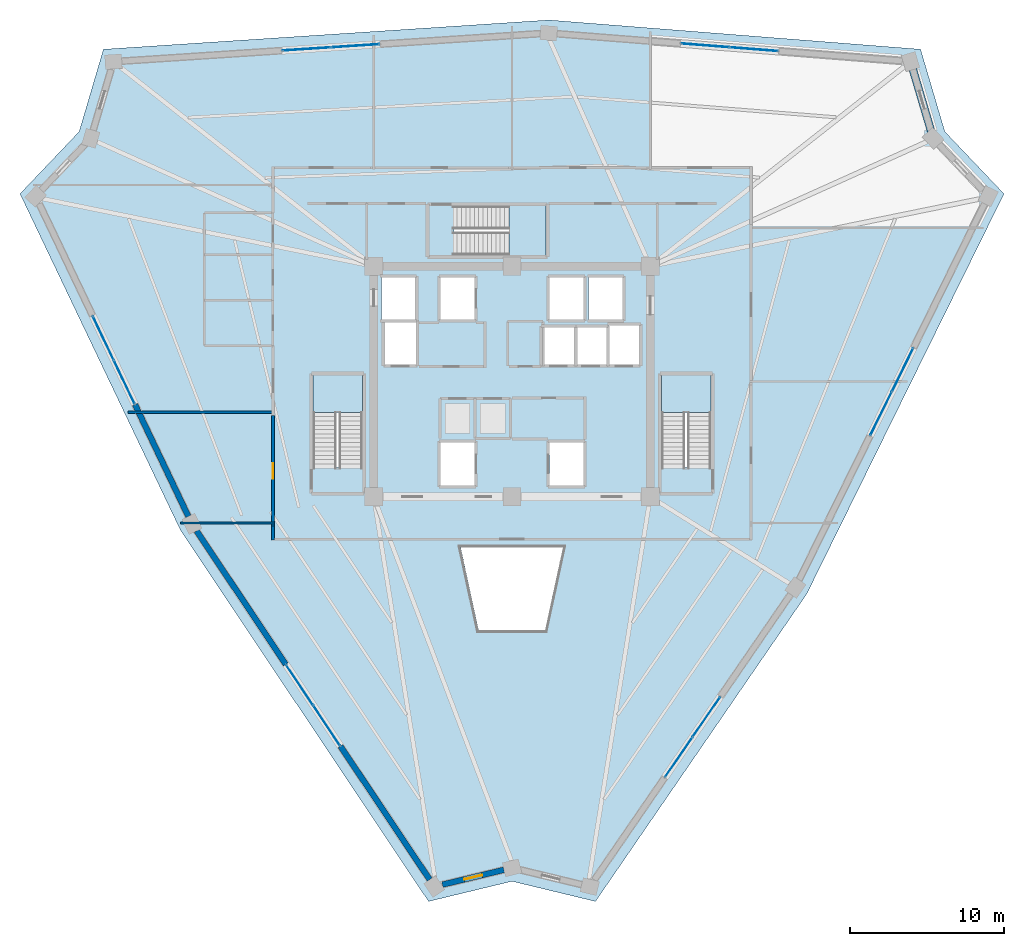
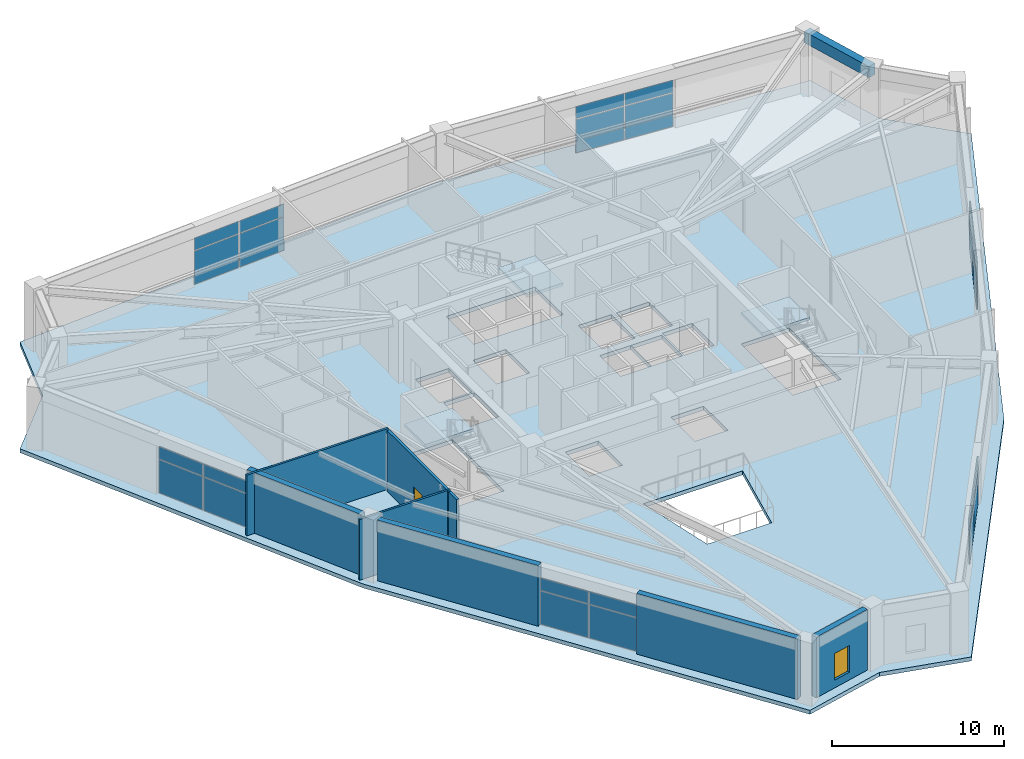
# One storey, part 27 of 35: 24 plates, 8 walls, 4 slabs, 1 beam, 1 door, 1 window, 2 openings, 9 elements without a shape of their own.
"""IFC4 building model written with IfcOpenShell, lengths in metres."""

from ifc_helpers import new_model, si_unit, direction, frame, frame_2d, origin, origin_2d, place, context, subcontext, project, spatial, polyline, rectangle, outline, extrude, source, transform, mapped, material, layer, layer_set, material_profile, profile_set, type_object, element, fill, aggregate, save


model = new_model("IFC4")

# Units and contexts
model_context = context("Model", 3, precision=1e-05, world=origin(), true_north=direction((0.0, 1.0)))
body_context = subcontext(model_context, "Body", "Model", "MODEL_VIEW")
ifc_project = project(units=[si_unit("LENGTHUNIT", "METRE"), si_unit("AREAUNIT", "SQUARE_METRE"), si_unit("VOLUMEUNIT", "CUBIC_METRE"), si_unit("PLANEANGLEUNIT", "RADIAN"), si_unit("MASSUNIT", "GRAM", prefix="KILO")], contexts=[model_context])

# Site, building, storey
site_placement = place(None, origin())
site = spatial("IfcSite", under=ifc_project, at=site_placement, CompositionType="ELEMENT")
building_placement = place(site_placement, origin())
building = spatial("IfcBuilding", under=site, at=building_placement, Name="Liaohun Quay Tower", CompositionType="ELEMENT")
storey_placement = place(building_placement, frame((0.0, 0.0, 282.0)))
storey = spatial("IfcBuildingStorey", under=building, at=storey_placement, Name="L73", CompositionType="ELEMENT", Elevation=282.0)

# Beam
ifc_material_1 = material(Name="Precast concrete C50", Category="concrete")
ifc_material_profile = material_profile(ifc_material_1, rectangle(XDim=0.5, YDim=0.800048828125, at=origin_2d()), Name="RC500x800")
ifc_profile_set = profile_set([ifc_material_profile], Name="Precast concrete C50")
beam_type = type_object("IfcBeamType", Name="BM-SPD-Z4", PredefinedType="SPANDREL", material=ifc_profile_set)
shared_shape_1 = source(origin(), body_context, "Body", "SweptSolid", [
    extrude(rectangle(XDim=0.5, YDim=0.800048828125, at=origin_2d()), origin(), (0.0, 0.0, 1.0), 5.207763671875),
])
beam_placement = place(storey_placement, frame((85.94189453125, 74.822998046875, 3.919921875), z_axis=(0.282871831257, -0.959157717522, 0.0), x_axis=(0.959157717522, 0.282871831257, 0.0)))
element("IfcBeam", 1, at=beam_placement, inside=storey, type_object=beam_type, Name="L73 Precast Spandrel Beam PC07-PC08", PredefinedType="SPANDREL", context=body_context, shape_type="MappedRepresentation", body=[
    mapped(shared_shape_1, transform((0.0, 0.0, 0.0), x_axis=(1.0, 0.0, 0.0), y_axis=(0.0, 1.0, 0.0), z_axis=(0.0, 0.0, 1.0), scale=1.0)),
])

# Stair, slab
ifc_material_2 = material(Name="Concrete C45", Category="concrete")
stair_type = type_object("IfcStairType", Name="STR-CORE-TALL", PredefinedType="HALF_TURN_STAIR", material=ifc_material_2)
stair_1_placement = place(storey_placement, origin())
stair_1 = element("IfcStair", 2, at=stair_1_placement, inside=storey, type_object=stair_type, Name="L73 Smokeproof Core Exit Stair ST-1", PredefinedType="HALF_TURN_STAIR")
ifc_layer_1 = layer(ifc_material_2, 0.199951171875, Name="Concrete C45", Category="concrete")
ifc_layer_set_1 = layer_set([ifc_layer_1], Name="Concrete C45")
slab_type_1 = type_object("IfcSlabType", Name="SLB-LND-200", PredefinedType="LANDING", material=ifc_layer_set_1)
slab_1_placement = place(storey_placement, frame((0.0, 0.0, 2.050048828125)))
slab_1 = element("IfcSlab", 3, at=slab_1_placement, type_object=slab_type_1, Name="ST-1 landing 1", PredefinedType="LANDING", context=body_context, shape_type="SweptSolid", body=[
    extrude(outline(polyline([(50.280029296875, 51.989990234375), (50.280029296875, 54.419921875), (47.0400390625, 54.419921875), (47.0400390625, 51.989990234375), (50.280029296875, 51.989990234375)])), origin(), (0.0, 0.0, 1.0), 0.199951171875),
])
aggregate(stair_1, [slab_1])

stair_2_placement = place(storey_placement, origin())
stair_2 = element("IfcStair", 4, at=stair_2_placement, inside=storey, type_object=stair_type, Name="L73 Smokeproof Core Exit Stair ST-2", PredefinedType="HALF_TURN_STAIR")
slab_2_placement = place(storey_placement, frame((0.0, 0.0, 2.050048828125)))
slab_2 = element("IfcSlab", 5, at=slab_2_placement, type_object=slab_type_1, Name="ST-2 landing 1", PredefinedType="LANDING", context=body_context, shape_type="SweptSolid", body=[
    extrude(outline(polyline([(72.9599609375, 51.989990234375), (72.9599609375, 54.419921875), (69.719970703125, 54.419921875), (69.719970703125, 51.989990234375), (72.9599609375, 51.989990234375)])), origin(), (0.0, 0.0, 1.0), 0.199951171875),
])
aggregate(stair_2, [slab_2])

stair_3_placement = place(storey_placement, origin())
stair_3 = element("IfcStair", 6, at=stair_3_placement, inside=storey, type_object=stair_type, Name="L73 Smokeproof Core Exit Stair ST-3", PredefinedType="HALF_TURN_STAIR")
slab_3_placement = place(storey_placement, frame((0.0, 0.0, 2.050048828125)))
slab_3 = element("IfcSlab", 7, at=slab_3_placement, type_object=slab_type_1, Name="ST-3 landing 1", PredefinedType="LANDING", context=body_context, shape_type="SweptSolid", body=[
    extrude(outline(polyline([(59.7900390625, 62.199951171875), (62.219970703125, 62.199951171875), (62.219970703125, 65.43994140625), (59.7900390625, 65.43994140625), (59.7900390625, 62.199951171875)])), origin(), (0.0, 0.0, 1.0), 0.199951171875),
])
aggregate(stair_3, [slab_3])

# Slab
ifc_material_3 = material(Name="Concrete C50", Category="concrete")
ifc_layer_2 = layer(ifc_material_3, 0.280029296875, Name="Concrete C50", Category="concrete")
ifc_layer_set_2 = layer_set([ifc_layer_2], Name="Concrete C50")
slab_type_2 = type_object("IfcSlabType", Name="SLB-REF-280", PredefinedType="FLOOR", material=ifc_layer_set_2)
slab_4_placement = place(storey_placement, frame((0.0, 0.0, -0.280029296875)))
element("IfcSlab", 8, at=slab_4_placement, inside=storey, type_object=slab_type_2, Name="L73 Structural Floor Slab", PredefinedType="FLOOR", context=body_context, shape_type="SweptSolid", body=[
    extrude(outline(polyline([(54.569091796875, 20.157958984375), (60.0, 21.469970703125), (65.430908203125, 20.157958984375), (79.179931640625, 40.1630859375), (92.02294921875, 66.218017578125), (88.172119140625, 70.264892578125), (86.592041015625, 75.6240234375), (62.39306640625, 77.529052734375), (33.407958984375, 75.6240234375), (31.827880859375, 70.264892578125), (27.97705078125, 66.218017578125), (38.427001953125, 44.30810546875), (54.569091796875, 20.157958984375)]), holes=[polyline([(63.339111328125, 43.199951171875), (56.660888671875, 43.199951171875), (57.830078125, 37.7939453125), (62.169921875, 37.7939453125), (63.339111328125, 43.199951171875)]), polyline([(57.56005859375, 47.2099609375), (57.56005859375, 50.030029296875), (55.340087890625, 50.030029296875), (55.340087890625, 47.2099609375), (57.56005859375, 47.2099609375)]), polyline([(50.280029296875, 54.419921875), (47.0400390625, 54.419921875), (47.0400390625, 48.409912109375), (50.280029296875, 48.409912109375), (50.280029296875, 54.419921875)]), polyline([(53.760009765625, 55.090087890625), (53.760009765625, 57.909912109375), (51.7099609375, 57.909912109375), (51.7099609375, 55.090087890625), (53.760009765625, 55.090087890625)]), polyline([(53.7099609375, 58.0400390625), (53.7099609375, 60.7900390625), (51.489990234375, 60.7900390625), (51.489990234375, 58.0400390625), (53.7099609375, 58.0400390625)]), polyline([(57.56005859375, 58.0400390625), (57.56005859375, 60.7900390625), (55.340087890625, 60.7900390625), (55.340087890625, 58.0400390625), (57.56005859375, 58.0400390625)]), polyline([(62.219970703125, 62.199951171875), (62.219970703125, 65.43994140625), (56.2099609375, 65.43994140625), (56.2099609375, 62.199951171875), (62.219970703125, 62.199951171875)]), polyline([(64.659912109375, 50.030029296875), (62.43994140625, 50.030029296875), (62.43994140625, 47.2099609375), (64.659912109375, 47.2099609375), (64.659912109375, 50.030029296875)]), polyline([(72.9599609375, 54.419921875), (69.719970703125, 54.419921875), (69.719970703125, 48.409912109375), (72.9599609375, 48.409912109375), (72.9599609375, 54.419921875)]), polyline([(64.06005859375, 55.090087890625), (64.06005859375, 57.510009765625), (61.989990234375, 57.510009765625), (61.989990234375, 55.090087890625), (64.06005859375, 55.090087890625)]), polyline([(66.159912109375, 55.090087890625), (66.159912109375, 57.510009765625), (64.090087890625, 57.510009765625), (64.090087890625, 55.090087890625), (66.159912109375, 55.090087890625)]), polyline([(68.2900390625, 55.090087890625), (68.2900390625, 57.659912109375), (66.2900390625, 57.659912109375), (66.2900390625, 55.090087890625), (68.2900390625, 55.090087890625)]), polyline([(64.659912109375, 58.0400390625), (64.659912109375, 60.7900390625), (62.43994140625, 60.7900390625), (62.43994140625, 58.0400390625), (64.659912109375, 58.0400390625)]), polyline([(67.2099609375, 58.0400390625), (67.2099609375, 60.7900390625), (64.989990234375, 60.7900390625), (64.989990234375, 58.0400390625), (67.2099609375, 58.0400390625)])]), origin(), (0.0, 0.0, 1.0), 0.280029296875),
])

# Curtain wall, plates
ifc_material_4 = material(Name="Upper sky-lobby belvedere curtain wall")
ifc_layer_3 = layer(ifc_material_4, 0.199951171875, Name="Upper sky-lobby belvedere curtain wall")
ifc_layer_set_3 = layer_set([ifc_layer_3], Name="Upper sky-lobby belvedere curtain wall")
curtain_wall_type = type_object("IfcCurtainWallType", Name="CW-SKY-L73", PredefinedType="NOTDEFINED", material=ifc_layer_set_3)
curtain_wall_1_placement = place(storey_placement, origin())
curtain_wall_1 = element("IfcCurtainWall", 9, at=curtain_wall_1_placement, inside=storey, type_object=curtain_wall_type, Name="L73 Panoramic Belvedere Curtain Wall 03", PredefinedType="NOTDEFINED")
ifc_material_5 = material(Name="Triple Low-E clear insulated glass unit", Category="glass")
ifc_layer_4 = layer(ifc_material_5, 0.0439453125, Name="Triple Low-E clear insulated glass unit", Category="glass")
ifc_layer_set_4 = layer_set([ifc_layer_4], Name="Triple Low-E clear insulated glass unit")
plate_type = type_object("IfcPlateType", Name="PLT-CWP-GLZ1", PredefinedType="CURTAIN_PANEL", material=ifc_layer_set_4)
shared_shape_2 = source(origin(), body_context, "Body", "SweptSolid", [
    extrude(rectangle(XDim=3.102783203125, YDim=0.0439453125, at=origin_2d()), origin(), (0.0, 0.0, 1.0), 2.3720703125),
])
plate_1_placement = place(storey_placement, frame((75.74365234375, 75.625732421875, 0.06005859375), z_axis=(0.0, 0.0, 1.0), x_axis=(-0.996919723411, 0.078428726082, 0.0)))
plate_1 = element("IfcPlate", 10, at=plate_1_placement, type_object=plate_type, Name="CW5 panel 1.1", PredefinedType="CURTAIN_PANEL", context=body_context, shape_type="MappedRepresentation", body=[
    mapped(shared_shape_2, transform((0.0, 0.0, 0.0), x_axis=(1.0, 0.0, 0.0), y_axis=(0.0, 1.0, 0.0), z_axis=(0.0, 0.0, 1.0), scale=1.0)),
])
plate_2_placement = place(storey_placement, frame((72.58544921875, 75.874267578125, 0.06005859375), z_axis=(0.0, 0.0, 1.0), x_axis=(-0.996919723411, 0.078428726082, 0.0)))
plate_2 = element("IfcPlate", 11, at=plate_2_placement, type_object=plate_type, Name="CW5 panel 2.1", PredefinedType="CURTAIN_PANEL", context=body_context, shape_type="MappedRepresentation", body=[
    mapped(shared_shape_2, transform((0.0, 0.0, 0.0), x_axis=(1.0, 0.0, 0.0), y_axis=(0.0, 1.0, 0.0), z_axis=(0.0, 0.0, 1.0), scale=1.0)),
])

curtain_wall_2_placement = place(storey_placement, origin())
curtain_wall_2 = element("IfcCurtainWall", 12, at=curtain_wall_2_placement, inside=storey, type_object=curtain_wall_type, Name="L73 Panoramic Belvedere Curtain Wall 04", PredefinedType="NOTDEFINED")
plate_3_placement = place(storey_placement, frame((49.802001953125, 75.849853515625, 0.06005859375), z_axis=(0.0, 0.0, 1.0), x_axis=(-0.997844891907, -0.065616855264, 0.0)))
plate_3 = element("IfcPlate", 13, at=plate_3_placement, type_object=plate_type, Name="CW5 panel 1.1", PredefinedType="CURTAIN_PANEL", context=body_context, shape_type="MappedRepresentation", body=[
    mapped(shared_shape_2, transform((0.0, 0.0, 0.0), x_axis=(1.0, 0.0, 0.0), y_axis=(0.0, 1.0, 0.0), z_axis=(0.0, 0.0, 1.0), scale=1.0)),
])
plate_4_placement = place(storey_placement, frame((46.640869140625, 75.64208984375, 0.06005859375), z_axis=(0.0, 0.0, 1.0), x_axis=(-0.997844891907, -0.065616855264, 0.0)))
plate_4 = element("IfcPlate", 14, at=plate_4_placement, type_object=plate_type, Name="CW5 panel 2.1", PredefinedType="CURTAIN_PANEL", context=body_context, shape_type="MappedRepresentation", body=[
    mapped(shared_shape_2, transform((0.0, 0.0, 0.0), x_axis=(1.0, 0.0, 0.0), y_axis=(0.0, 1.0, 0.0), z_axis=(0.0, 0.0, 1.0), scale=1.0)),
])

curtain_wall_3_placement = place(storey_placement, origin())
curtain_wall_3 = element("IfcCurtainWall", 15, at=curtain_wall_3_placement, inside=storey, type_object=curtain_wall_type, Name="L73 Panoramic Belvedere Curtain Wall 05", PredefinedType="NOTDEFINED")
plate_5_placement = place(storey_placement, frame((33.39990234375, 56.822021484375, 0.06005859375), z_axis=(0.0, 0.0, 1.0), x_axis=(0.430576305375, -0.902554178567, 0.0)))
plate_5 = element("IfcPlate", 16, at=plate_5_placement, type_object=plate_type, Name="CW5 panel 1.1", PredefinedType="CURTAIN_PANEL", context=body_context, shape_type="MappedRepresentation", body=[
    mapped(shared_shape_2, transform((0.0, 0.0, 0.0), x_axis=(1.0, 0.0, 0.0), y_axis=(0.0, 1.0, 0.0), z_axis=(0.0, 0.0, 1.0), scale=1.0)),
])
plate_6_placement = place(storey_placement, frame((34.763916015625, 53.962890625, 0.06005859375), z_axis=(0.0, 0.0, 1.0), x_axis=(0.430576305375, -0.902554178567, 0.0)))
plate_6 = element("IfcPlate", 17, at=plate_6_placement, type_object=plate_type, Name="CW5 panel 2.1", PredefinedType="CURTAIN_PANEL", context=body_context, shape_type="MappedRepresentation", body=[
    mapped(shared_shape_2, transform((0.0, 0.0, 0.0), x_axis=(1.0, 0.0, 0.0), y_axis=(0.0, 1.0, 0.0), z_axis=(0.0, 0.0, 1.0), scale=1.0)),
])

# Plate
shared_shape_3 = source(origin(), body_context, "Body", "SweptSolid", [
    extrude(rectangle(XDim=3.102783203125, YDim=0.0439453125, at=origin_2d()), origin(), (0.0, 0.0, 1.0), 0.867919921875),
])
plate_7_placement = place(storey_placement, frame((75.74365234375, 75.625732421875, 2.4921875), z_axis=(0.0, 0.0, 1.0), x_axis=(-0.996919723411, 0.078428726082, 0.0)))
plate_7 = element("IfcPlate", 18, at=plate_7_placement, type_object=plate_type, Name="CW5 panel 1.2", PredefinedType="CURTAIN_PANEL", context=body_context, shape_type="MappedRepresentation", body=[
    mapped(shared_shape_3, transform((0.0, 0.0, 0.0), x_axis=(1.0, 0.0, 0.0), y_axis=(0.0, 1.0, 0.0), z_axis=(0.0, 0.0, 1.0), scale=1.0)),
])

plate_8_placement = place(storey_placement, frame((72.58544921875, 75.874267578125, 2.4921875), z_axis=(0.0, 0.0, 1.0), x_axis=(-0.996919723411, 0.078428726082, 0.0)))
plate_8 = element("IfcPlate", 19, at=plate_8_placement, type_object=plate_type, Name="CW5 panel 2.2", PredefinedType="CURTAIN_PANEL", context=body_context, shape_type="MappedRepresentation", body=[
    mapped(shared_shape_3, transform((0.0, 0.0, 0.0), x_axis=(1.0, 0.0, 0.0), y_axis=(0.0, 1.0, 0.0), z_axis=(0.0, 0.0, 1.0), scale=1.0)),
])

aggregate(curtain_wall_1, [plate_1, plate_7, plate_2, plate_8])

plate_9_placement = place(storey_placement, frame((49.802001953125, 75.849853515625, 2.4921875), z_axis=(0.0, 0.0, 1.0), x_axis=(-0.997844891907, -0.065616855264, 0.0)))
plate_9 = element("IfcPlate", 20, at=plate_9_placement, type_object=plate_type, Name="CW5 panel 1.2", PredefinedType="CURTAIN_PANEL", context=body_context, shape_type="MappedRepresentation", body=[
    mapped(shared_shape_3, transform((0.0, 0.0, 0.0), x_axis=(1.0, 0.0, 0.0), y_axis=(0.0, 1.0, 0.0), z_axis=(0.0, 0.0, 1.0), scale=1.0)),
])

plate_10_placement = place(storey_placement, frame((46.640869140625, 75.64208984375, 2.4921875), z_axis=(0.0, 0.0, 1.0), x_axis=(-0.997844891907, -0.065616855264, 0.0)))
plate_10 = element("IfcPlate", 21, at=plate_10_placement, type_object=plate_type, Name="CW5 panel 2.2", PredefinedType="CURTAIN_PANEL", context=body_context, shape_type="MappedRepresentation", body=[
    mapped(shared_shape_3, transform((0.0, 0.0, 0.0), x_axis=(1.0, 0.0, 0.0), y_axis=(0.0, 1.0, 0.0), z_axis=(0.0, 0.0, 1.0), scale=1.0)),
])

aggregate(curtain_wall_2, [plate_3, plate_9, plate_4, plate_10])

plate_11_placement = place(storey_placement, frame((33.39990234375, 56.822021484375, 2.4921875), z_axis=(0.0, 0.0, 1.0), x_axis=(0.430576305375, -0.902554178567, 0.0)))
plate_11 = element("IfcPlate", 22, at=plate_11_placement, type_object=plate_type, Name="CW5 panel 1.2", PredefinedType="CURTAIN_PANEL", context=body_context, shape_type="MappedRepresentation", body=[
    mapped(shared_shape_3, transform((0.0, 0.0, 0.0), x_axis=(1.0, 0.0, 0.0), y_axis=(0.0, 1.0, 0.0), z_axis=(0.0, 0.0, 1.0), scale=1.0)),
])

plate_12_placement = place(storey_placement, frame((34.763916015625, 53.962890625, 2.4921875), z_axis=(0.0, 0.0, 1.0), x_axis=(0.430576305375, -0.902554178567, 0.0)))
plate_12 = element("IfcPlate", 23, at=plate_12_placement, type_object=plate_type, Name="CW5 panel 2.2", PredefinedType="CURTAIN_PANEL", context=body_context, shape_type="MappedRepresentation", body=[
    mapped(shared_shape_3, transform((0.0, 0.0, 0.0), x_axis=(1.0, 0.0, 0.0), y_axis=(0.0, 1.0, 0.0), z_axis=(0.0, 0.0, 1.0), scale=1.0)),
])

aggregate(curtain_wall_3, [plate_5, plate_11, plate_6, plate_12])

# Curtain wall, plates
curtain_wall_4_placement = place(storey_placement, origin())
curtain_wall_4 = element("IfcCurtainWall", 24, at=curtain_wall_4_placement, inside=storey, type_object=curtain_wall_type, Name="L73 Panoramic Belvedere Curtain Wall 06", PredefinedType="NOTDEFINED")
shared_shape_4 = source(origin(), body_context, "Body", "SweptSolid", [
    extrude(rectangle(XDim=3.1025390625, YDim=0.0439453125, at=origin_2d()), origin(), (0.0, 0.0, 1.0), 2.3720703125),
])
plate_13_placement = place(storey_placement, frame((46.177001953125, 34.2431640625, 0.06005859375), z_axis=(0.0, 0.0, 1.0), x_axis=(0.555637364961, -0.831424752253, 0.0)))
plate_13 = element("IfcPlate", 25, at=plate_13_placement, type_object=plate_type, Name="CW5 panel 1.1", PredefinedType="CURTAIN_PANEL", context=body_context, shape_type="MappedRepresentation", body=[
    mapped(shared_shape_4, transform((0.0, 0.0, 0.0), x_axis=(1.0, 0.0, 0.0), y_axis=(0.0, 1.0, 0.0), z_axis=(0.0, 0.0, 1.0), scale=1.0)),
])
plate_14_placement = place(storey_placement, frame((47.93701171875, 31.60986328125, 0.06005859375), z_axis=(0.0, 0.0, 1.0), x_axis=(0.555637364961, -0.831424752253, 0.0)))
plate_14 = element("IfcPlate", 26, at=plate_14_placement, type_object=plate_type, Name="CW5 panel 2.1", PredefinedType="CURTAIN_PANEL", context=body_context, shape_type="MappedRepresentation", body=[
    mapped(shared_shape_4, transform((0.0, 0.0, 0.0), x_axis=(1.0, 0.0, 0.0), y_axis=(0.0, 1.0, 0.0), z_axis=(0.0, 0.0, 1.0), scale=1.0)),
])
shared_shape_5 = source(origin(), body_context, "Body", "SweptSolid", [
    extrude(rectangle(XDim=3.1025390625, YDim=0.0439453125, at=origin_2d()), origin(), (0.0, 0.0, 1.0), 0.867919921875),
])
plate_15_placement = place(storey_placement, frame((46.177001953125, 34.2431640625, 2.4921875), z_axis=(0.0, 0.0, 1.0), x_axis=(0.555637364961, -0.831424752253, 0.0)))
plate_15 = element("IfcPlate", 27, at=plate_15_placement, type_object=plate_type, Name="CW5 panel 1.2", PredefinedType="CURTAIN_PANEL", context=body_context, shape_type="MappedRepresentation", body=[
    mapped(shared_shape_5, transform((0.0, 0.0, 0.0), x_axis=(1.0, 0.0, 0.0), y_axis=(0.0, 1.0, 0.0), z_axis=(0.0, 0.0, 1.0), scale=1.0)),
])
plate_16_placement = place(storey_placement, frame((47.93701171875, 31.60986328125, 2.4921875), z_axis=(0.0, 0.0, 1.0), x_axis=(0.555637364961, -0.831424752253, 0.0)))
plate_16 = element("IfcPlate", 28, at=plate_16_placement, type_object=plate_type, Name="CW5 panel 2.2", PredefinedType="CURTAIN_PANEL", context=body_context, shape_type="MappedRepresentation", body=[
    mapped(shared_shape_5, transform((0.0, 0.0, 0.0), x_axis=(1.0, 0.0, 0.0), y_axis=(0.0, 1.0, 0.0), z_axis=(0.0, 0.0, 1.0), scale=1.0)),
])
aggregate(curtain_wall_4, [plate_13, plate_15, plate_14, plate_16])

curtain_wall_5_placement = place(storey_placement, origin())
curtain_wall_5 = element("IfcCurtainWall", 29, at=curtain_wall_5_placement, inside=storey, type_object=curtain_wall_type, Name="L73 Panoramic Belvedere Curtain Wall 01", PredefinedType="NOTDEFINED")
shared_shape_6 = source(origin(), body_context, "Body", "SweptSolid", [
    extrude(rectangle(XDim=3.102294921875, YDim=0.0439453125, at=origin_2d()), origin(), (0.0, 0.0, 1.0), 2.3720703125),
])
plate_17_placement = place(storey_placement, frame((70.8564453125, 29.552978515625, 0.06005859375), z_axis=(0.0, 0.0, 1.0), x_axis=(0.566435976225, 0.824105748577, 0.0)))
plate_17 = element("IfcPlate", 30, at=plate_17_placement, type_object=plate_type, Name="CW5 panel 1.1", PredefinedType="CURTAIN_PANEL", context=body_context, shape_type="MappedRepresentation", body=[
    mapped(shared_shape_6, transform((0.0, 0.0, 0.0), x_axis=(1.0, 0.0, 0.0), y_axis=(0.0, 1.0, 0.0), z_axis=(0.0, 0.0, 1.0), scale=1.0)),
])
plate_18_placement = place(storey_placement, frame((72.650634765625, 32.1630859375, 0.06005859375), z_axis=(0.0, 0.0, 1.0), x_axis=(0.566435976225, 0.824105748577, 0.0)))
plate_18 = element("IfcPlate", 31, at=plate_18_placement, type_object=plate_type, Name="CW5 panel 2.1", PredefinedType="CURTAIN_PANEL", context=body_context, shape_type="MappedRepresentation", body=[
    mapped(shared_shape_6, transform((0.0, 0.0, 0.0), x_axis=(1.0, 0.0, 0.0), y_axis=(0.0, 1.0, 0.0), z_axis=(0.0, 0.0, 1.0), scale=1.0)),
])
shared_shape_7 = source(origin(), body_context, "Body", "SweptSolid", [
    extrude(rectangle(XDim=3.102294921875, YDim=0.0439453125, at=origin_2d()), origin(), (0.0, 0.0, 1.0), 0.867919921875),
])
plate_19_placement = place(storey_placement, frame((70.8564453125, 29.552978515625, 2.4921875), z_axis=(0.0, 0.0, 1.0), x_axis=(0.566435976225, 0.824105748577, 0.0)))
plate_19 = element("IfcPlate", 32, at=plate_19_placement, type_object=plate_type, Name="CW5 panel 1.2", PredefinedType="CURTAIN_PANEL", context=body_context, shape_type="MappedRepresentation", body=[
    mapped(shared_shape_7, transform((0.0, 0.0, 0.0), x_axis=(1.0, 0.0, 0.0), y_axis=(0.0, 1.0, 0.0), z_axis=(0.0, 0.0, 1.0), scale=1.0)),
])
plate_20_placement = place(storey_placement, frame((72.650634765625, 32.1630859375, 2.4921875), z_axis=(0.0, 0.0, 1.0), x_axis=(0.566435976225, 0.824105748577, 0.0)))
plate_20 = element("IfcPlate", 33, at=plate_20_placement, type_object=plate_type, Name="CW5 panel 2.2", PredefinedType="CURTAIN_PANEL", context=body_context, shape_type="MappedRepresentation", body=[
    mapped(shared_shape_7, transform((0.0, 0.0, 0.0), x_axis=(1.0, 0.0, 0.0), y_axis=(0.0, 1.0, 0.0), z_axis=(0.0, 0.0, 1.0), scale=1.0)),
])
aggregate(curtain_wall_5, [plate_17, plate_19, plate_18, plate_20])

curtain_wall_6_placement = place(storey_placement, origin())
curtain_wall_6 = element("IfcCurtainWall", 34, at=curtain_wall_6_placement, inside=storey, type_object=curtain_wall_type, Name="L73 Panoramic Belvedere Curtain Wall 02", PredefinedType="NOTDEFINED")
shared_shape_8 = source(origin(), body_context, "Body", "SweptSolid", [
    extrude(rectangle(XDim=3.10205078125, YDim=0.0439453125, at=origin_2d()), origin(), (0.0, 0.0, 1.0), 2.3720703125),
])
plate_21_placement = place(storey_placement, frame((84.021484375, 51.907470703125, 0.06005859375), z_axis=(0.0, 0.0, 1.0), x_axis=(0.442080679235, 0.896975291213, 0.0)))
plate_21 = element("IfcPlate", 35, at=plate_21_placement, type_object=plate_type, Name="CW5 panel 1.1", PredefinedType="CURTAIN_PANEL", context=body_context, shape_type="MappedRepresentation", body=[
    mapped(shared_shape_8, transform((0.0, 0.0, 0.0), x_axis=(1.0, 0.0, 0.0), y_axis=(0.0, 1.0, 0.0), z_axis=(0.0, 0.0, 1.0), scale=1.0)),
])
plate_22_placement = place(storey_placement, frame((85.421630859375, 54.74853515625, 0.06005859375), z_axis=(0.0, 0.0, 1.0), x_axis=(0.442080679235, 0.896975291213, 0.0)))
plate_22 = element("IfcPlate", 36, at=plate_22_placement, type_object=plate_type, Name="CW5 panel 2.1", PredefinedType="CURTAIN_PANEL", context=body_context, shape_type="MappedRepresentation", body=[
    mapped(shared_shape_8, transform((0.0, 0.0, 0.0), x_axis=(1.0, 0.0, 0.0), y_axis=(0.0, 1.0, 0.0), z_axis=(0.0, 0.0, 1.0), scale=1.0)),
])
shared_shape_9 = source(origin(), body_context, "Body", "SweptSolid", [
    extrude(rectangle(XDim=3.10205078125, YDim=0.0439453125, at=origin_2d()), origin(), (0.0, 0.0, 1.0), 0.867919921875),
])
plate_23_placement = place(storey_placement, frame((84.021484375, 51.907470703125, 2.4921875), z_axis=(0.0, 0.0, 1.0), x_axis=(0.442080679235, 0.896975291213, 0.0)))
plate_23 = element("IfcPlate", 37, at=plate_23_placement, type_object=plate_type, Name="CW5 panel 1.2", PredefinedType="CURTAIN_PANEL", context=body_context, shape_type="MappedRepresentation", body=[
    mapped(shared_shape_9, transform((0.0, 0.0, 0.0), x_axis=(1.0, 0.0, 0.0), y_axis=(0.0, 1.0, 0.0), z_axis=(0.0, 0.0, 1.0), scale=1.0)),
])
plate_24_placement = place(storey_placement, frame((85.421630859375, 54.74853515625, 2.4921875), z_axis=(0.0, 0.0, 1.0), x_axis=(0.442080679235, 0.896975291213, 0.0)))
plate_24 = element("IfcPlate", 38, at=plate_24_placement, type_object=plate_type, Name="CW5 panel 2.2", PredefinedType="CURTAIN_PANEL", context=body_context, shape_type="MappedRepresentation", body=[
    mapped(shared_shape_9, transform((0.0, 0.0, 0.0), x_axis=(1.0, 0.0, 0.0), y_axis=(0.0, 1.0, 0.0), z_axis=(0.0, 0.0, 1.0), scale=1.0)),
])
aggregate(curtain_wall_6, [plate_21, plate_23, plate_22, plate_24])

# Walls
ifc_material_6 = material(Name="Precast concrete C50 insulated sandwich", Category="concrete")
ifc_layer_5 = layer(ifc_material_6, 0.3798828125, Name="Precast concrete C50 insulated sandwich", Category="concrete")
ifc_layer_set_5 = layer_set([ifc_layer_5], Name="Precast concrete C50 insulated sandwich")
wall_type_1 = type_object("IfcWallType", Name="WAL-EXT-Z34", PredefinedType="SOLIDWALL", material=ifc_layer_set_5)
wall_1_placement = place(storey_placement, frame((35.4599609375, 52.50390625, 0.0), z_axis=(0.0, 0.0, 1.0), x_axis=(0.430506253415, -0.902587594514, 0.0)))
element("IfcWall", 39, at=wall_1_placement, inside=storey, type_object=wall_type_1, Name="L73 Belvedere Flank Pier Wall 10R", PredefinedType="SOLIDWALL", context=body_context, shape_type="SweptSolid", body=[
    extrude(rectangle(XDim=8.074462890625, YDim=0.3798828125, at=frame_2d((4.037109375, 0.0))), origin(), (0.0, 0.0, 1.0), 4.320068359375),
])
for number, where, z_axis, x_axis, name in (
    (40, (39.468017578125, 44.280029296875, 0.0), (0.0, 0.0, 1.0), (0.555734273121, -0.831359980801, 0.0), "L73 Belvedere Flank Pier Wall 11L"),
    (41, (48.8349609375, 30.26611328125, 0.0), (0.0, 0.0, 1.0), (0.555734273121, -0.831359980801, 0.0), "L73 Belvedere Flank Pier Wall 11R"),
):
    element("IfcWall", number, at=place(storey_placement, frame(where, z_axis=z_axis, x_axis=x_axis)), inside=storey, type_object=wall_type_1, Name=name, PredefinedType="SOLIDWALL", context=body_context, shape_type="SweptSolid", body=[
        extrude(rectangle(XDim=10.45654296875, YDim=0.3798828125, at=frame_2d((5.228271484375, 0.0))), origin(), (0.0, 0.0, 1.0), 4.320068359375),
    ])

# Wall, opening, window
wall_2_placement = place(storey_placement, frame((55.470947265625, 21.2509765625, 0.0), z_axis=(0.0, 0.0, 1.0), x_axis=(0.972107376601, 0.234536241035, 0.0)))
wall_2 = element("IfcWall", 42, at=wall_2_placement, inside=storey, type_object=wall_type_1, Name="L73 Corner Notch Precast Pier Wall 12", PredefinedType="SOLIDWALL", context=body_context, shape_type="SweptSolid", body=[
    extrude(rectangle(XDim=4.119140625, YDim=0.3798828125, at=frame_2d((2.0595703125, 0.0))), origin(), (0.0, 0.0, 1.0), 4.320068359375),
])
shared_shape_10 = source(origin(), body_context, "Body", "SweptSolid", [
    extrude(rectangle(XDim=1.199951171875, YDim=1.89990234375, at=frame_2d((0.60009765625, 0.949951171875))), frame((0.0, 0.199951171875, 0.0), z_axis=(0.0, -1.0, 0.0), x_axis=(1.0, 0.0, 0.0)), (0.0, 0.0, 1.0), 0.39990234375),
])
opening_1_placement = place(wall_2_placement, frame((1.458984375, 0.0, 0.550048828125)))
opening_1 = element("IfcOpeningElement", 43, at=opening_1_placement, cuts=wall_2, Name="Opening W05", PredefinedType="OPENING", context=body_context, shape_type="MappedRepresentation", body=[
    mapped(shared_shape_10, transform((0.0, 0.0, 0.0), x_axis=(1.0, 0.0, 0.0), y_axis=(0.0, 1.0, 0.0), z_axis=(0.0, 0.0, 1.0), scale=1.0)),
])
ifc_material_7 = material(Name="Triple Low-E corner notch glazing", Category="glass")
window_type = type_object("IfcWindowType", Name="WIN-NOTCH", PartitioningType="SINGLE_PANEL", PredefinedType="WINDOW", material=ifc_material_7)
shared_shape_11 = source(origin(), body_context, "Body", "SweptSolid", [
    extrude(rectangle(XDim=1.199951171875, YDim=1.89990234375, at=frame_2d((0.60009765625, 0.949951171875))), frame((0.0, 0.030029296875, 0.0), z_axis=(0.0, -1.0, 0.0), x_axis=(1.0, 0.0, 0.0)), (0.0, 0.0, 1.0), 0.06005859375),
])
window_placement = place(opening_1_placement, origin())
window = element("IfcWindow", 44, at=window_placement, inside=storey, type_object=window_type, Name="L73 Corner Notch Window W05-12", OverallHeight=1.89990234375, OverallWidth=1.199951171875, PartitioningType="SINGLE_PANEL", PredefinedType="WINDOW", context=body_context, shape_type="MappedRepresentation", body=[
    mapped(shared_shape_11, transform((0.0, 0.0, 0.0), x_axis=(1.0, 0.0, 0.0), y_axis=(0.0, 1.0, 0.0), z_axis=(0.0, 0.0, 1.0), scale=1.0)),
])
fill(opening_1, window)

# Wall, opening, door
ifc_material_8 = material(Name="Autoclaved aerated concrete blockwork", Category="masonry")
ifc_layer_6 = layer(ifc_material_8, 0.179931640625, Name="Autoclaved aerated concrete blockwork", Category="masonry")
ifc_layer_set_6 = layer_set([ifc_layer_6], Name="Autoclaved aerated concrete blockwork")
wall_type_2 = type_object("IfcWallType", Name="WAL-PRT-COR", PredefinedType="PARTITIONING", material=ifc_layer_set_6)
wall_3_placement = place(storey_placement, frame((44.43994140625, 44.5849609375, 0.0), z_axis=(0.0, 0.0, 1.0), x_axis=(0.0, 1.0, 0.0)))
wall_3 = element("IfcWall", 45, at=wall_3_placement, inside=storey, type_object=wall_type_2, Name="L73 Interior Partition Wall 017", PredefinedType="PARTITIONING", context=body_context, shape_type="SweptSolid", body=[
    extrude(rectangle(XDim=7.199951171875, YDim=0.179931640625, at=frame_2d((3.60009765625, 0.0))), origin(), (0.0, 0.0, 1.0), 4.320068359375),
])
shared_shape_12 = source(origin(), body_context, "Body", "SweptSolid", [
    extrude(rectangle(XDim=1.0, YDim=2.199951171875, at=frame_2d((0.5, 1.10009765625))), frame((0.0, 0.099853515625, 0.0), z_axis=(0.0, -1.0, 0.0), x_axis=(1.0, 0.0, 0.0)), (0.0, 0.0, 1.0), 0.199951171875),
])
opening_2_placement = place(wall_3_placement, frame((3.10009765625, 0.0, 0.0)))
opening_2 = element("IfcOpeningElement", 46, at=opening_2_placement, cuts=wall_3, Name="Opening OD1", PredefinedType="OPENING", context=body_context, shape_type="MappedRepresentation", body=[
    mapped(shared_shape_12, transform((0.0, 0.0, 0.0), x_axis=(1.0, 0.0, 0.0), y_axis=(0.0, 1.0, 0.0), z_axis=(0.0, 0.0, 1.0), scale=1.0)),
])
ifc_material_9 = material(Name="Solid-core oak veneer timber leaf in steel frame", Category="steel")
door_type = type_object("IfcDoorType", Name="DOR-OFF-1000", OperationType="NOTDEFINED", PredefinedType="DOOR", material=ifc_material_9)
shared_shape_13 = source(origin(), body_context, "Body", "SweptSolid", [
    extrude(rectangle(XDim=1.0, YDim=2.199951171875, at=frame_2d((0.5, 1.10009765625))), frame((0.0, 0.02490234375, 0.0), z_axis=(0.0, -1.0, 0.0), x_axis=(1.0, 0.0, 0.0)), (0.0, 0.0, 1.0), 0.050048828125),
])
door_placement = place(opening_2_placement, origin())
door = element("IfcDoor", 47, at=door_placement, inside=storey, type_object=door_type, Name="L73 Partner Advisory Office 07 Door", OperationType="SINGLE_SWING_LEFT", OverallHeight=2.199951171875, OverallWidth=1.0, PredefinedType="DOOR", context=body_context, shape_type="MappedRepresentation", body=[
    mapped(shared_shape_13, transform((0.0, 0.0, 0.0), x_axis=(1.0, 0.0, 0.0), y_axis=(0.0, 1.0, 0.0), z_axis=(0.0, 0.0, 1.0), scale=1.0)),
])
fill(opening_2, door)

# Walls
wall_4_placement = place(storey_placement, frame((44.43994140625, 43.669921875, 0.0), z_axis=(0.0, 0.0, 1.0), x_axis=(0.0, 1.0, 0.0)))
element("IfcWall", 48, at=wall_4_placement, inside=storey, type_object=wall_type_2, Name="L73 Interior Partition Wall 033", PredefinedType="PARTITIONING", context=body_context, shape_type="SweptSolid", body=[
    extrude(rectangle(XDim=0.9150390625, YDim=0.179931640625, at=frame_2d((0.45751953125, 0.0))), origin(), (0.0, 0.0, 1.0), 4.320068359375),
])
ifc_material_10 = material(Name="Gypsum board on twin steel studs", Category="steel")
ifc_layer_7 = layer(ifc_material_10, 0.139892578125, Name="Gypsum board on twin steel studs", Category="steel")
ifc_layer_set_7 = layer_set([ifc_layer_7], Name="Gypsum board on twin steel studs")
wall_type_3 = type_object("IfcWallType", Name="WAL-PRT-OFF", PredefinedType="PARTITIONING", material=ifc_layer_set_7)
wall_5_placement = place(storey_placement, frame((44.5400390625, 44.800048828125, 0.0), z_axis=(0.0, 0.0, 1.0), x_axis=(-1.0, 0.0, 0.0)))
element("IfcWall", 49, at=wall_5_placement, inside=storey, type_object=wall_type_3, Name="L73 Interior Partition Wall 035", PredefinedType="PARTITIONING", context=body_context, shape_type="SweptSolid", body=[
    extrude(rectangle(XDim=6.10400390625, YDim=0.139892578125, at=frame_2d((3.052001953125, 0.0))), origin(), (0.0, 0.0, 1.0), 4.320068359375),
])
wall_6_placement = place(storey_placement, frame((44.5400390625, 52.0, 0.0), z_axis=(0.0, 0.0, 1.0), x_axis=(-1.0, 0.0, 0.0)))
element("IfcWall", 50, at=wall_6_placement, inside=storey, type_object=wall_type_3, Name="L73 Interior Partition Wall 036", PredefinedType="PARTITIONING", context=body_context, shape_type="SweptSolid", body=[
    extrude(rectangle(XDim=9.5380859375, YDim=0.139892578125, at=frame_2d((4.76904296875, 0.0))), origin(), (0.0, 0.0, 1.0), 4.320068359375),
])

save(model, "model.ifc")
